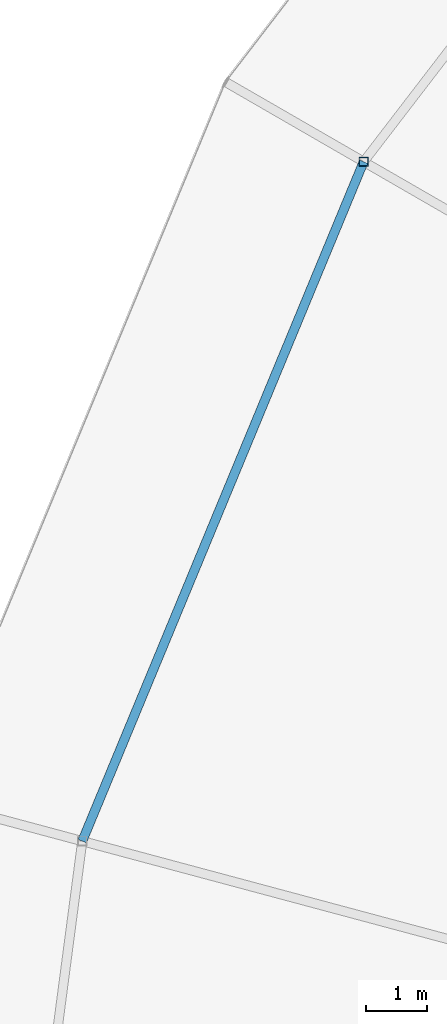
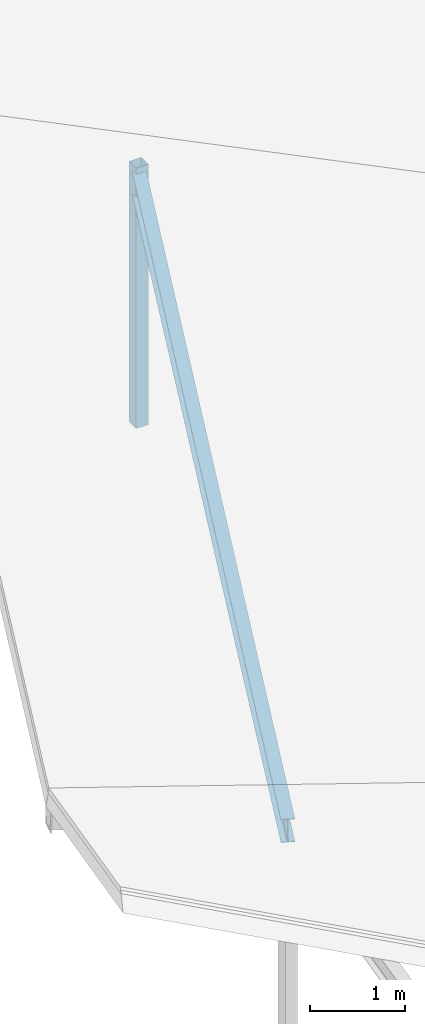
# One storey, part 32 of 93: 1 beam, 1 member.
"""IFC4 building model written with IfcOpenShell, lengths in metres."""

from ifc_helpers import new_model, si_unit, direction, frame, origin, origin_2d, place, context, subcontext, project, spatial, hollow_rectangle, i_section, extrude, material, material_profile, profile_set, type_object, element, save


model = new_model("IFC4")

# Units and contexts
model_context = context("Model", 3, precision=1e-05, world=origin(), true_north=direction((0.0, 1.0)))
body_context = subcontext(model_context, "Body", "Model", "MODEL_VIEW")
ifc_project = project(units=[si_unit("LENGTHUNIT", "METRE"), si_unit("AREAUNIT", "SQUARE_METRE"), si_unit("VOLUMEUNIT", "CUBIC_METRE"), si_unit("PLANEANGLEUNIT", "RADIAN"), si_unit("MASSUNIT", "GRAM", prefix="KILO")], contexts=[model_context])

# Site, building, storey
site_placement = place(None, origin())
site = spatial("IfcSite", under=ifc_project, at=site_placement, CompositionType="ELEMENT")
building_placement = place(site_placement, origin())
building = spatial("IfcBuilding", under=site, at=building_placement, Name="Vondelvale Polytechnic", CompositionType="ELEMENT")
storey_placement = place(building_placement, frame((0.0, 0.0, 18.0)))
storey = spatial("IfcBuildingStorey", under=building, at=storey_placement, Name="L04", CompositionType="ELEMENT", Elevation=18.0)

# Beam
ifc_material_1 = material(Name="Steel 300PLUS (fy = 300 MPa)", Category="steel")
ifc_material_profile_1 = material_profile(ifc_material_1, i_section(OverallWidth=0.14892578125, OverallDepth=0.298095703125, WebThickness=0.005615234375, FlangeThickness=0.008056640625, FilletRadius=0.011474609375, at=origin_2d()), Name="310UB32.0")
ifc_profile_set_1 = profile_set([ifc_material_profile_1], Name="Steel 300PLUS (fy = 300 MPa)")
beam_type = type_object("IfcBeamType", Name="BM-UB310L", PredefinedType="BEAM", material=ifc_profile_set_1)
beam_placement = place(storey_placement, frame((62.162841796875, 95.0, 3.11083984375), z_axis=(-0.382688765072, -0.923877323614, 0.0), x_axis=(0.923877323614, -0.382688765072, 0.0)))
element("IfcBeam", 1, at=beam_placement, inside=storey, type_object=beam_type, Name="L04 RE B-25", PredefinedType="BEAM", context=body_context, shape_type="SweptSolid", body=[
    extrude(i_section(OverallWidth=0.14892578125, OverallDepth=0.298095703125, WebThickness=0.005615234375, FlangeThickness=0.008056640625, FilletRadius=0.011474609375, at=origin_2d()), origin(), (0.0, 0.0, 1.0), 12.00830078125),
])

# Member
ifc_material_2 = material(Name="Steel C350L0 (fy = 350 MPa)", Category="steel")
ifc_material_profile_2 = material_profile(ifc_material_2, hollow_rectangle(XDim=0.14990234375, YDim=0.14990234375, WallThickness=0.006103515625, at=origin_2d()), Name="150x150x6.0SHS")
ifc_profile_set_2 = profile_set([ifc_material_profile_2], Name="Steel C350L0 (fy = 350 MPa)")
member_type = type_object("IfcMemberType", Name="ROOF TRUSS POST 150SHS", PredefinedType="POST", material=ifc_profile_set_2)
member_placement = place(storey_placement, frame((62.162841796875, 95.0, 0.0), z_axis=(0.0, 0.0, 1.0), x_axis=(1.0, 0.0, 0.0)))
element("IfcMember", 2, at=member_placement, inside=storey, type_object=member_type, Name="Ring outer roof post 10", PredefinedType="POST", context=body_context, shape_type="SweptSolid", body=[
    extrude(hollow_rectangle(XDim=0.14990234375, YDim=0.14990234375, WallThickness=0.006103515625, at=origin_2d()), origin(), (0.0, 0.0, 1.0), 3.33984375),
])

save(model, "model.ifc")
